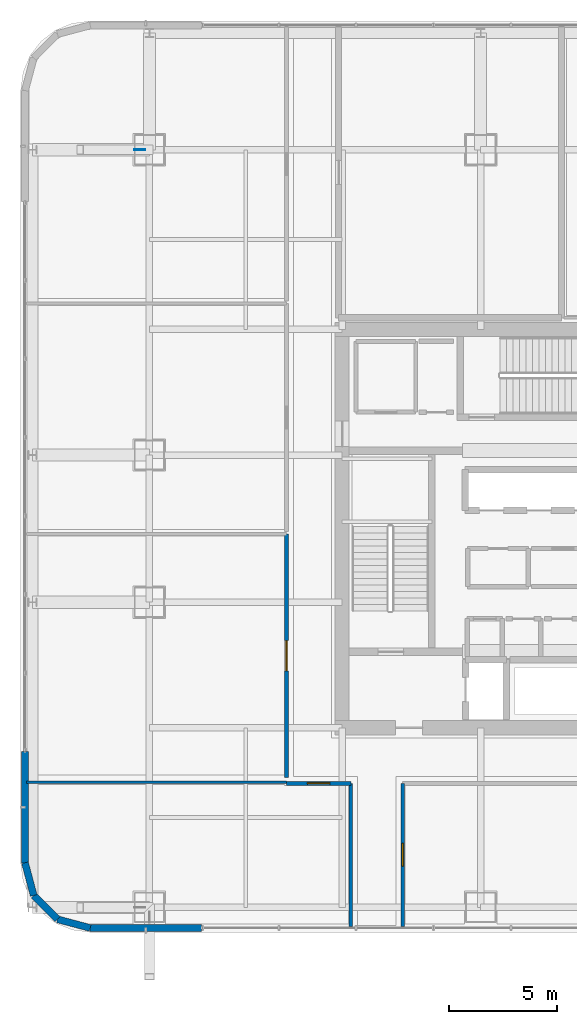
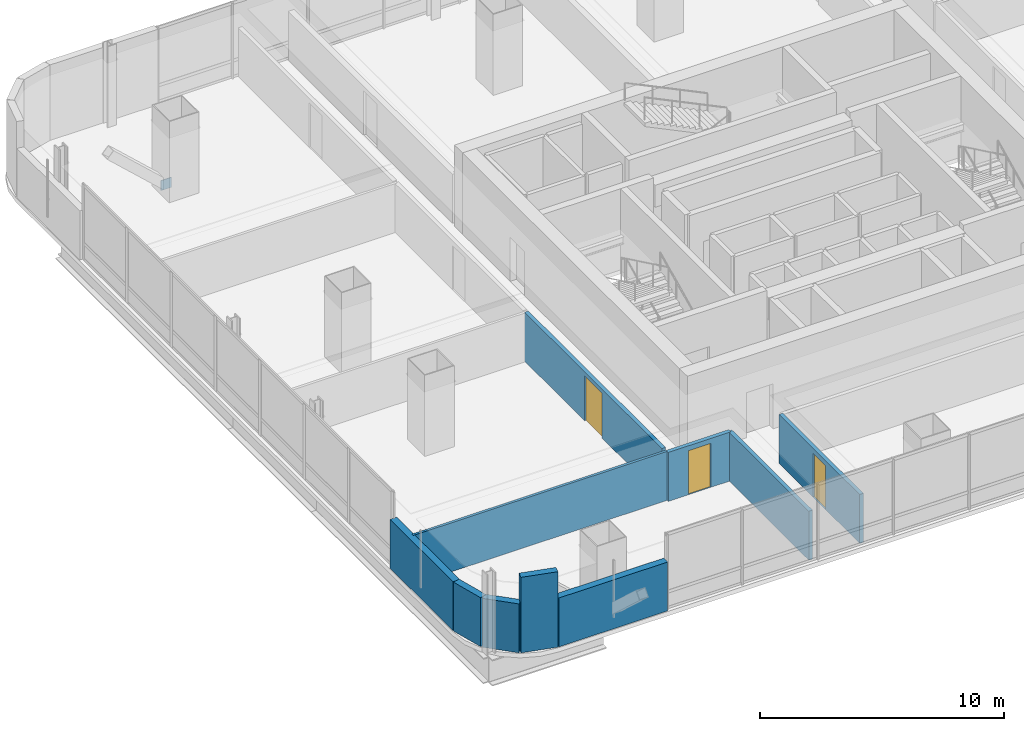
# One storey, part 32 of 47: 10 walls, 3 doors, 1 plate, 3 openings.
"""IFC4 building model written with IfcOpenShell, lengths in metres."""

from ifc_helpers import new_model, si_unit, direction, frame, frame_2d, origin, origin_2d, place, context, subcontext, project, spatial, rectangle, extrude, material, layer, layer_set, type_object, element, fill, save


model = new_model("IFC4")

# Units and contexts
model_context = context("Model", 3, precision=1e-05, world=origin(), true_north=direction((0.0, 1.0)))
body_context = subcontext(model_context, "Body", "Model", "MODEL_VIEW")
ifc_project = project(units=[si_unit("LENGTHUNIT", "METRE"), si_unit("AREAUNIT", "SQUARE_METRE"), si_unit("VOLUMEUNIT", "CUBIC_METRE"), si_unit("PLANEANGLEUNIT", "RADIAN"), si_unit("MASSUNIT", "GRAM", prefix="KILO")], contexts=[model_context])

# Site, building, storey
site_placement = place(None, origin())
site = spatial("IfcSite", under=ifc_project, at=site_placement, CompositionType="ELEMENT")
building_placement = place(site_placement, origin())
building = spatial("IfcBuilding", under=site, at=building_placement, Name="Punatoya Terracotta Tower", CompositionType="ELEMENT")
storey_placement = place(building_placement, frame((0.0, 0.0, 168.14990234375)))
storey = spatial("IfcBuildingStorey", under=building, at=storey_placement, Name="L39", CompositionType="ELEMENT", Elevation=168.14990234375)

# Plate
ifc_material_1 = material(Name="Steel S460", Category="steel")
ifc_layer_1 = layer(ifc_material_1, 0.031982421875)
ifc_layer_set_1 = layer_set([ifc_layer_1], Name="Steel S460")
plate_type = type_object("IfcPlateType", Name="PLT-END-32", PredefinedType="USERDEFINED", material=ifc_layer_set_1)
plate_placement = place(storey_placement, frame((-19.548095703125, 17.5, 0.18310546875), z_axis=(0.0, 0.0, 1.0), x_axis=(1.0, 0.0, 0.0)))
element("IfcPlate", 1, at=plate_placement, inside=storey, type_object=plate_type, Name="L40 Knee-Strut Base Gusset Plate W2", ObjectType="FLANGE_PLATE", PredefinedType="USERDEFINED", context=body_context, shape_type="SweptSolid", body=[
    extrude(rectangle(XDim=0.5, YDim=0.031982421875, at=origin_2d()), origin(), (0.0, 0.0, 1.0), 0.5),
])

# Wall, opening, door
ifc_material_2 = material(Name="Gypsum Fireboard + Steel Stud", Category="steel")
ifc_layer_2 = layer(ifc_material_2, 0.179931640625)
ifc_layer_set_2 = layer_set([ifc_layer_2], Name="Gypsum Fireboard + Steel Stud")
wall_type_1 = type_object("IfcWallType", Name="WL-CORR-180", PredefinedType="PARTITIONING", material=ifc_layer_set_2)
wall_1_placement = place(storey_placement, frame((-7.39990234375, -18.3701171875, 0.0), z_axis=(0.0, 0.0, 1.0), x_axis=(0.0, 1.0, 0.0)))
wall_1 = element("IfcWall", 2, at=wall_1_placement, inside=storey, type_object=wall_type_1, Name="L39 Open-Plan Staff Wellness Studio Partition 28", PredefinedType="PARTITIONING", context=body_context, shape_type="SweptSolid", body=[
    extrude(rectangle(XDim=6.60009765625, YDim=0.179931640625, at=frame_2d((3.300048828125, 0.0))), origin(), (0.0, 0.0, 1.0), 2.444091796875),
])
opening_1_placement = place(wall_1_placement, frame((2.77490234375, 0.0, 0.0)))
opening_1 = element("IfcOpeningElement", 3, at=opening_1_placement, cuts=wall_1, Name="Opening OD-01", PredefinedType="OPENING", context=body_context, shape_type="SweptSolid", body=[
    extrude(rectangle(XDim=1.050048828125, YDim=2.199951171875, at=frame_2d((0.52490234375, 1.10009765625))), frame((0.0, 0.099853515625, 0.0), z_axis=(0.0, -1.0, 0.0), x_axis=(1.0, 0.0, 0.0)), (0.0, 0.0, 1.0), 0.199951171875),
])
ifc_material_3 = material(Name="Bengal Teak Solid-Core Leaf")
door_type_1 = type_object("IfcDoorType", Name="DR-OFF-1050", OperationType="NOTDEFINED", PredefinedType="DOOR", material=ifc_material_3)
door_1_placement = place(opening_1_placement, origin())
door_1 = element("IfcDoor", 4, at=door_1_placement, inside=storey, type_object=door_type_1, Name="L39 Open-Plan Staff Wellness Studio Door", OperationType="SINGLE_SWING_RIGHT", OverallHeight=2.199951171875, OverallWidth=1.050048828125, PredefinedType="DOOR", context=body_context, shape_type="SweptSolid", body=[
    extrude(rectangle(XDim=1.050048828125, YDim=2.199951171875, at=frame_2d((0.52490234375, 1.10009765625))), frame((0.0, 0.02490234375, 0.0), z_axis=(0.0, -1.0, 0.0), x_axis=(1.0, 0.0, 0.0)), (0.0, 0.0, 1.0), 0.050048828125),
])
fill(opening_1, door_1)

wall_2_placement = place(storey_placement, frame((-12.77001953125, -11.77001953125, 0.0), z_axis=(0.0, 0.0, 1.0), x_axis=(1.0, 0.0, 0.0)))
wall_2 = element("IfcWall", 5, at=wall_2_placement, inside=storey, type_object=wall_type_1, Name="L39 Open-Plan Occupational Rest Lounge Partition 32", PredefinedType="PARTITIONING", context=body_context, shape_type="SweptSolid", body=[
    extrude(rectangle(XDim=2.969970703125, YDim=0.179931640625, at=frame_2d((1.48486328125, 0.0))), origin(), (0.0, 0.0, 1.0), 2.444091796875),
])
opening_2_placement = place(wall_2_placement, frame((0.9599609375, 0.0, 0.0)))
opening_2 = element("IfcOpeningElement", 6, at=opening_2_placement, cuts=wall_2, Name="Opening OD-01", PredefinedType="OPENING", context=body_context, shape_type="SweptSolid", body=[
    extrude(rectangle(XDim=1.050048828125, YDim=2.199951171875, at=frame_2d((0.52490234375, 1.10009765625))), frame((0.0, 0.099853515625, 0.0), z_axis=(0.0, -1.0, 0.0), x_axis=(1.0, 0.0, 0.0)), (0.0, 0.0, 1.0), 0.199951171875),
])
door_2_placement = place(opening_2_placement, origin())
door_2 = element("IfcDoor", 7, at=door_2_placement, inside=storey, type_object=door_type_1, Name="L39 Open-Plan Occupational Rest Lounge Door", OperationType="SINGLE_SWING_LEFT", OverallHeight=2.199951171875, OverallWidth=1.050048828125, PredefinedType="DOOR", context=body_context, shape_type="SweptSolid", body=[
    extrude(rectangle(XDim=1.050048828125, YDim=2.199951171875, at=frame_2d((0.52490234375, 1.10009765625))), frame((0.0, 0.02490234375, 0.0), z_axis=(0.0, -1.0, 0.0), x_axis=(1.0, 0.0, 0.0)), (0.0, 0.0, 1.0), 0.050048828125),
])
fill(opening_2, door_2)

# Wall
wall_3_placement = place(storey_placement, frame((-9.800048828125, -11.77001953125, 0.0), z_axis=(0.0, 0.0, 1.0), x_axis=(0.0, -1.0, 0.0)))
element("IfcWall", 8, at=wall_3_placement, inside=storey, type_object=wall_type_1, Name="L39 Open-Plan Occupational Rest Lounge Partition 33", PredefinedType="PARTITIONING", context=body_context, shape_type="SweptSolid", body=[
    extrude(rectangle(XDim=6.60009765625, YDim=0.179931640625, at=frame_2d((3.300048828125, 0.0))), origin(), (0.0, 0.0, 1.0), 2.444091796875),
])

# Wall, opening, door
wall_4_placement = place(storey_placement, frame((-12.77001953125, -0.25, 0.0), z_axis=(0.0, 0.0, 1.0), x_axis=(0.0, -1.0, 0.0)))
wall_4 = element("IfcWall", 9, at=wall_4_placement, inside=storey, type_object=wall_type_1, Name="L39 Open-Plan Leadership Training Classroom Partition 37", PredefinedType="PARTITIONING", context=body_context, shape_type="SweptSolid", body=[
    extrude(rectangle(XDim=11.239990234375, YDim=0.179931640625, at=frame_2d((5.6201171875, 0.0))), origin(), (0.0, 0.0, 1.0), 2.444091796875),
])
opening_3_placement = place(wall_4_placement, frame((4.919921875, 0.0, 0.0)))
opening_3 = element("IfcOpeningElement", 10, at=opening_3_placement, cuts=wall_4, Name="Opening BD-01", PredefinedType="OPENING", context=body_context, shape_type="SweptSolid", body=[
    extrude(rectangle(XDim=1.39990234375, YDim=2.25, at=frame_2d((0.699951171875, 1.125))), frame((0.0, 0.099853515625, 0.0), z_axis=(0.0, -1.0, 0.0), x_axis=(1.0, 0.0, 0.0)), (0.0, 0.0, 1.0), 0.199951171875),
])
ifc_material_4 = material(Name="Bengal Teak Acoustic Leaf")
door_type_2 = type_object("IfcDoorType", Name="DR-BRD-1400", OperationType="NOTDEFINED", PredefinedType="DOOR", material=ifc_material_4)
door_3_placement = place(opening_3_placement, origin())
door_3 = element("IfcDoor", 11, at=door_3_placement, inside=storey, type_object=door_type_2, Name="L39 Open-Plan Leadership Training Classroom Door", OperationType="SINGLE_SWING_LEFT", OverallHeight=2.25, OverallWidth=1.39990234375, PredefinedType="DOOR", context=body_context, shape_type="SweptSolid", body=[
    extrude(rectangle(XDim=1.39990234375, YDim=2.25, at=frame_2d((0.699951171875, 1.125))), frame((0.0, 0.02490234375, 0.0), z_axis=(0.0, -1.0, 0.0), x_axis=(1.0, 0.0, 0.0)), (0.0, 0.0, 1.0), 0.050048828125),
])
fill(opening_3, door_3)

# Walls
ifc_material_5 = material(Name="Precast concrete C40/50", Category="concrete")
ifc_layer_3 = layer(ifc_material_5, 0.320068359375)
ifc_layer_set_3 = layer_set([ifc_layer_3], Name="Precast concrete C40/50")
wall_type_2 = type_object("IfcWallType", Name="WL-EXT-320", PredefinedType="SOLIDWALL", material=ifc_layer_set_3)
for number, where, z_axis, x_axis, name in (
    (12, (-21.8369140625, -18.449951171875, 0.0), (0.0, 0.0, 1.0), (1.0, 0.0, 0.0), "L39 Terracotta Braced Facade Wall S1"),
    (13, (-24.85009765625, -10.300048828125, 0.0), (0.0, 0.0, 1.0), (0.0, -1.0, 0.0), "L39 Terracotta Braced Facade Wall W2"),
):
    element("IfcWall", number, at=place(storey_placement, frame(where, z_axis=z_axis, x_axis=x_axis)), inside=storey, type_object=wall_type_2, Name=name, PredefinedType="SOLIDWALL", context=body_context, shape_type="SweptSolid", body=[
        extrude(rectangle(XDim=5.136962890625, YDim=0.320068359375, at=frame_2d((2.568359375, 0.0))), origin(), (0.0, 0.0, 1.0), 2.444091796875),
    ])
wall_5_placement = place(storey_placement, frame((-24.85009765625, -15.43701171875, 0.0), z_axis=(0.0, 0.0, 1.0), x_axis=(0.257847112249, -0.966185730957, 0.0)))
element("IfcWall", 14, at=wall_5_placement, inside=storey, type_object=wall_type_2, Name="L39 Rounded Terracotta Corner Pier 14", PredefinedType="SOLIDWALL", context=body_context, shape_type="SweptSolid", body=[
    extrude(rectangle(XDim=1.565185546875, YDim=0.320068359375, at=frame_2d((0.78271484375, 0.0))), origin(), (0.0, 0.0, 1.0), 2.444091796875),
])
wall_6_placement = place(storey_placement, frame((-24.446533203125, -16.94921875, 0.0), z_axis=(0.0, 0.0, 1.0), x_axis=(0.707106781187, -0.707106781187, 0.0)))
element("IfcWall", 15, at=wall_6_placement, inside=storey, type_object=wall_type_2, Name="L39 Rounded Terracotta Corner Pier 15", PredefinedType="SOLIDWALL", context=body_context, shape_type="SweptSolid", body=[
    extrude(rectangle(XDim=1.552001953125, YDim=0.320068359375, at=frame_2d((0.77587890625, 0.0))), origin(), (0.0, 0.0, 1.0), 2.444091796875),
])
wall_7_placement = place(storey_placement, frame((-23.34912109375, -18.046630859375, 0.0), z_axis=(0.0, 0.0, 1.0), x_axis=(0.966224582397, -0.257701486942, 0.0)))
element("IfcWall", 16, at=wall_7_placement, inside=storey, type_object=wall_type_2, Name="L39 Rounded Terracotta Corner Pier 16", PredefinedType="SOLIDWALL", context=body_context, shape_type="SweptSolid", body=[
    extrude(rectangle(XDim=1.565185546875, YDim=0.320068359375, at=frame_2d((0.78271484375, 0.0))), origin(), (0.0, 0.0, 1.0), 3.77001953125),
])
ifc_material_6 = material(Name="Gypsum Partition + Steel Stud", Category="steel")
ifc_layer_4 = layer(ifc_material_6, 0.1201171875)
ifc_layer_set_4 = layer_set([ifc_layer_4], Name="Gypsum Partition + Steel Stud")
wall_type_3 = type_object("IfcWallType", Name="WL-OFF-120", PredefinedType="PARTITIONING", material=ifc_layer_set_4)
wall_8_placement = place(storey_placement, frame((-24.77001953125, -11.7099609375, 0.0), z_axis=(0.0, 0.0, 1.0), x_axis=(1.0, 0.0, 0.0)))
element("IfcWall", 17, at=wall_8_placement, inside=storey, type_object=wall_type_3, Name="L39 Open-Plan Occupational Rest Lounge Partition 31", PredefinedType="PARTITIONING", context=body_context, shape_type="SweptSolid", body=[
    extrude(rectangle(XDim=12.0, YDim=0.1201171875, at=frame_2d((6.0, 0.0))), origin(), (0.0, 0.0, 1.0), 2.444091796875),
])

save(model, "model.ifc")
